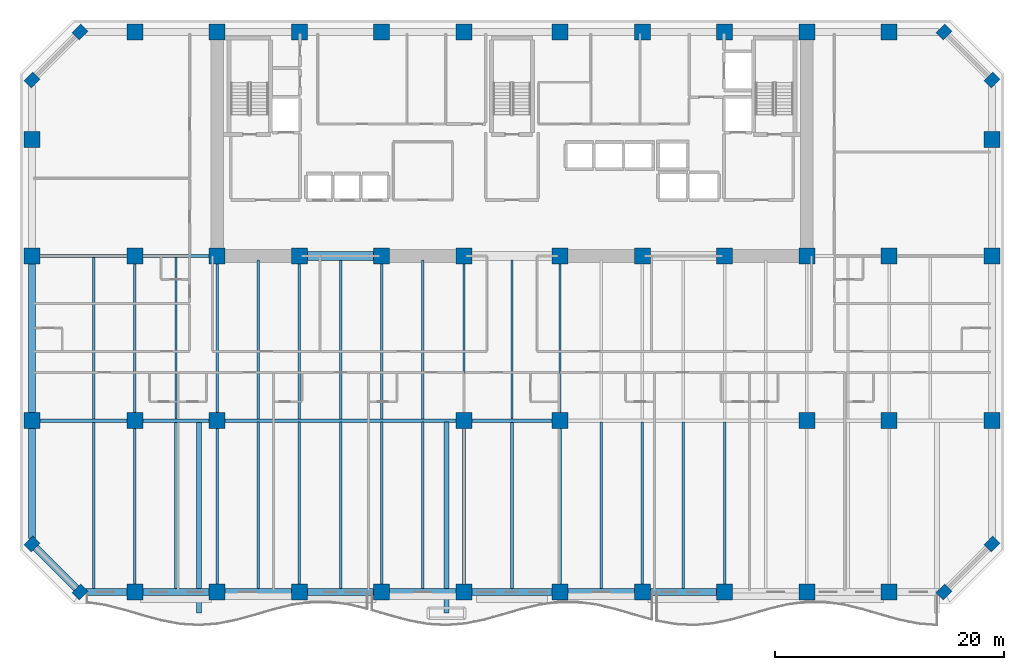
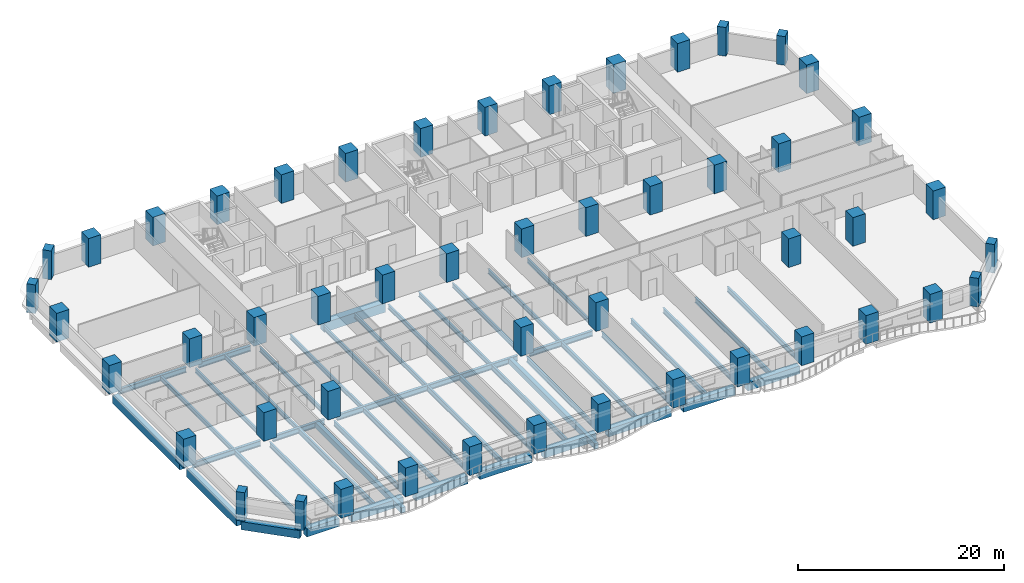
# One storey, part 1 of 14: 50 columns, 48 beams.
"""IFC4 building model written with IfcOpenShell, lengths in metres."""

from ifc_helpers import new_model, si_unit, direction, frame, origin, origin_2d, place, context, subcontext, project, spatial, rectangle, i_section, extrude, material, material_profile, profile_set, type_object, element, save


model = new_model("IFC4")

# Units and contexts
model_context = context("Model", 3, precision=1e-05, world=origin(), true_north=direction((0.0, 1.0)))
body_context = subcontext(model_context, "Body", "Model", "MODEL_VIEW")
ifc_project = project(units=[si_unit("LENGTHUNIT", "METRE"), si_unit("AREAUNIT", "SQUARE_METRE"), si_unit("VOLUMEUNIT", "CUBIC_METRE"), si_unit("PLANEANGLEUNIT", "RADIAN"), si_unit("MASSUNIT", "GRAM", prefix="KILO")], contexts=[model_context])

# Site, building, storey
site_placement = place(None, origin())
site = spatial("IfcSite", under=ifc_project, at=site_placement, CompositionType="ELEMENT")
building_placement = place(site_placement, origin())
building = spatial("IfcBuilding", under=site, at=building_placement, Name="Kaelvorn Grand Hotel", CompositionType="ELEMENT")
storey_placement = place(building_placement, frame((0.0, 0.0, 76.39990234375)))
storey = spatial("IfcBuildingStorey", under=building, at=storey_placement, Name="L17", CompositionType="ELEMENT", Elevation=76.39990234375)

# Columns
ifc_material_1 = material(Name="Concrete C80/95", Category="concrete")
ifc_material_profile_1 = material_profile(ifc_material_1, rectangle(XDim=1.10009765625, YDim=0.89990234375, at=origin_2d()), Name="RC PILASTER 1100x900")
ifc_profile_set_1 = profile_set([ifc_material_profile_1], Name="Concrete C80/95")
column_type_1 = type_object("IfcColumnType", Name="COL-PIL-1100x900-C80", PredefinedType="PILASTER", material=ifc_profile_set_1)
for number, where, z_axis, x_axis, name in (
    (1, (4.199951171875, 0.0, 0.0), (0.0, 0.0, 1.0), (0.707106781187, 0.707106781187, 0.0), "L17 Structural Column CH-01"),
    (2, (79.800048828125, 0.0, 0.0), (0.0, 0.0, 1.0), (0.707106781187, 0.707106781187, 0.0), "L17 Structural Column CH-02"),
    (3, (84.0, 4.199951171875, 0.0), (0.0, 0.0, 1.0), (0.707106781187, 0.707106781187, 0.0), "L17 Structural Column CH-03"),
    (4, (84.0, 44.800048828125, 0.0), (0.0, 0.0, 1.0), (0.707106781187, 0.707106781187, 0.0), "L17 Structural Column CH-04"),
    (5, (79.800048828125, 49.0, 0.0), (0.0, 0.0, 1.0), (0.707106781187, 0.707106781187, 0.0), "L17 Structural Column CH-05"),
    (6, (4.199951171875, 49.0, 0.0), (0.0, 0.0, 1.0), (0.707106781187, 0.707106781187, 0.0), "L17 Structural Column CH-06"),
    (7, (0.0, 44.800048828125, 0.0), (0.0, 0.0, 1.0), (0.707106781187, 0.707106781187, 0.0), "L17 Structural Column CH-07"),
    (8, (0.0, 4.199951171875, 0.0), (0.0, 0.0, 1.0), (0.707106781187, 0.707106781187, 0.0), "L17 Structural Column CH-08"),
):
    element("IfcColumn", number, at=place(storey_placement, frame(where, z_axis=z_axis, x_axis=x_axis)), inside=storey, type_object=column_type_1, Name=name, PredefinedType="PILASTER", context=body_context, shape_type="SweptSolid", body=[
        extrude(rectangle(XDim=1.10009765625, YDim=0.89990234375, at=origin_2d()), origin(), (0.0, 0.0, 1.0), 3.400146484375),
    ])
ifc_material_profile_2 = material_profile(ifc_material_1, rectangle(XDim=1.39990234375, YDim=1.39990234375, at=origin_2d()), Name="RC COL 1400x1400")
ifc_profile_set_2 = profile_set([ifc_material_profile_2], Name="Concrete C80/95")
column_type_2 = type_object("IfcColumnType", Name="COL-RC-1400-C80", PredefinedType="COLUMN", material=ifc_profile_set_2)
for number, where, z_axis, x_axis, name in (
    (9, (9.0, 0.0, 0.0), (0.0, 0.0, 1.0), (1.0, 0.0, 0.0), "L17 Structural Column S-01"),
    (10, (16.199951171875, 0.0, 0.0), (0.0, 0.0, 1.0), (1.0, 0.0, 0.0), "L17 Structural Column S-02"),
    (11, (23.39990234375, 0.0, 0.0), (0.0, 0.0, 1.0), (1.0, 0.0, 0.0), "L17 Structural Column S-03"),
    (12, (30.60009765625, 0.0, 0.0), (0.0, 0.0, 1.0), (1.0, 0.0, 0.0), "L17 Structural Column S-04"),
    (13, (37.800048828125, 0.0, 0.0), (0.0, 0.0, 1.0), (1.0, 0.0, 0.0), "L17 Structural Column S-05"),
    (14, (46.199951171875, 0.0, 0.0), (0.0, 0.0, 1.0), (1.0, 0.0, 0.0), "L17 Structural Column S-06"),
    (15, (53.39990234375, 0.0, 0.0), (0.0, 0.0, 1.0), (1.0, 0.0, 0.0), "L17 Structural Column S-07"),
    (16, (60.60009765625, 0.0, 0.0), (0.0, 0.0, 1.0), (1.0, 0.0, 0.0), "L17 Structural Column S-08"),
    (17, (67.800048828125, 0.0, 0.0), (0.0, 0.0, 1.0), (1.0, 0.0, 0.0), "L17 Structural Column S-09"),
    (18, (75.0, 0.0, 0.0), (0.0, 0.0, 1.0), (1.0, 0.0, 0.0), "L17 Structural Column S-10"),
    (19, (0.0, 15.0, 0.0), (0.0, 0.0, 1.0), (1.0, 0.0, 0.0), "L17 Structural Column W-01"),
    (20, (84.0, 15.0, 0.0), (0.0, 0.0, 1.0), (1.0, 0.0, 0.0), "L17 Structural Column E-01"),
    (21, (0.0, 29.39990234375, 0.0), (0.0, 0.0, 1.0), (1.0, 0.0, 0.0), "L17 Structural Column W-02"),
    (22, (84.0, 29.39990234375, 0.0), (0.0, 0.0, 1.0), (1.0, 0.0, 0.0), "L17 Structural Column E-02"),
    (23, (0.0, 39.60009765625, 0.0), (0.0, 0.0, 1.0), (1.0, 0.0, 0.0), "L17 Structural Column W-03"),
    (24, (84.0, 39.60009765625, 0.0), (0.0, 0.0, 1.0), (1.0, 0.0, 0.0), "L17 Structural Column E-03"),
    (25, (9.0, 15.0, 0.0), (0.0, 0.0, 1.0), (1.0, 0.0, 0.0), "L17 Structural Column M-01"),
    (26, (16.199951171875, 15.0, 0.0), (0.0, 0.0, 1.0), (1.0, 0.0, 0.0), "L17 Structural Column M-02"),
    (27, (37.800048828125, 15.0, 0.0), (0.0, 0.0, 1.0), (1.0, 0.0, 0.0), "L17 Structural Column M-03"),
    (28, (46.199951171875, 15.0, 0.0), (0.0, 0.0, 1.0), (1.0, 0.0, 0.0), "L17 Structural Column M-04"),
    (29, (67.800048828125, 15.0, 0.0), (0.0, 0.0, 1.0), (1.0, 0.0, 0.0), "L17 Structural Column M-05"),
    (30, (75.0, 15.0, 0.0), (0.0, 0.0, 1.0), (1.0, 0.0, 0.0), "L17 Structural Column M-06"),
    (31, (9.0, 29.39990234375, 0.0), (0.0, 0.0, 1.0), (1.0, 0.0, 0.0), "L17 Structural Column CR1-01"),
    (32, (9.0, 49.0, 0.0), (0.0, 0.0, 1.0), (1.0, 0.0, 0.0), "L17 Structural Column CR2-01"),
    (33, (16.199951171875, 29.39990234375, 0.0), (0.0, 0.0, 1.0), (1.0, 0.0, 0.0), "L17 Structural Column CR1-02"),
    (34, (16.199951171875, 49.0, 0.0), (0.0, 0.0, 1.0), (1.0, 0.0, 0.0), "L17 Structural Column CR2-02"),
    (35, (23.39990234375, 29.39990234375, 0.0), (0.0, 0.0, 1.0), (1.0, 0.0, 0.0), "L17 Structural Column CR1-03"),
    (36, (23.39990234375, 49.0, 0.0), (0.0, 0.0, 1.0), (1.0, 0.0, 0.0), "L17 Structural Column CR2-03"),
    (37, (30.60009765625, 29.39990234375, 0.0), (0.0, 0.0, 1.0), (1.0, 0.0, 0.0), "L17 Structural Column CR1-04"),
    (38, (30.60009765625, 49.0, 0.0), (0.0, 0.0, 1.0), (1.0, 0.0, 0.0), "L17 Structural Column CR2-04"),
    (39, (37.800048828125, 29.39990234375, 0.0), (0.0, 0.0, 1.0), (1.0, 0.0, 0.0), "L17 Structural Column CR1-05"),
    (40, (37.800048828125, 49.0, 0.0), (0.0, 0.0, 1.0), (1.0, 0.0, 0.0), "L17 Structural Column CR2-05"),
    (41, (46.199951171875, 29.39990234375, 0.0), (0.0, 0.0, 1.0), (1.0, 0.0, 0.0), "L17 Structural Column CR1-06"),
    (42, (46.199951171875, 49.0, 0.0), (0.0, 0.0, 1.0), (1.0, 0.0, 0.0), "L17 Structural Column CR2-06"),
    (43, (53.39990234375, 29.39990234375, 0.0), (0.0, 0.0, 1.0), (1.0, 0.0, 0.0), "L17 Structural Column CR1-07"),
    (44, (53.39990234375, 49.0, 0.0), (0.0, 0.0, 1.0), (1.0, 0.0, 0.0), "L17 Structural Column CR2-07"),
    (45, (60.60009765625, 29.39990234375, 0.0), (0.0, 0.0, 1.0), (1.0, 0.0, 0.0), "L17 Structural Column CR1-08"),
    (46, (60.60009765625, 49.0, 0.0), (0.0, 0.0, 1.0), (1.0, 0.0, 0.0), "L17 Structural Column CR2-08"),
    (47, (67.800048828125, 29.39990234375, 0.0), (0.0, 0.0, 1.0), (1.0, 0.0, 0.0), "L17 Structural Column CR1-09"),
    (48, (67.800048828125, 49.0, 0.0), (0.0, 0.0, 1.0), (1.0, 0.0, 0.0), "L17 Structural Column CR2-09"),
    (49, (75.0, 29.39990234375, 0.0), (0.0, 0.0, 1.0), (1.0, 0.0, 0.0), "L17 Structural Column CR1-10"),
    (50, (75.0, 49.0, 0.0), (0.0, 0.0, 1.0), (1.0, 0.0, 0.0), "L17 Structural Column CR2-10"),
):
    element("IfcColumn", number, at=place(storey_placement, frame(where, z_axis=z_axis, x_axis=x_axis)), inside=storey, type_object=column_type_2, Name=name, PredefinedType="COLUMN", context=body_context, shape_type="SweptSolid", body=[
        extrude(rectangle(XDim=1.39990234375, YDim=1.39990234375, at=origin_2d()), origin(), (0.0, 0.0, 1.0), 3.400146484375),
    ])

# Beams
ifc_material_2 = material(Name="Steel S355", Category="steel")
ifc_material_profile_3 = material_profile(ifc_material_2, i_section(OverallWidth=0.300048828125, OverallDepth=0.64990234375, WebThickness=0.01611328125, FlangeThickness=0.031005859375, FilletRadius=0.027099609375, at=origin_2d()), Name="HEB 650")
ifc_profile_set_3 = profile_set([ifc_material_profile_3], Name="Steel S355")
beam_type_1 = type_object("IfcBeamType", Name="BM-G-HEB650-S355", PredefinedType="BEAM", material=ifc_profile_set_3)
beam_1_placement = place(storey_placement, frame((0.68505859375, 15.0, -0.56494140625), z_axis=(1.0, 0.0, 0.0), x_axis=(0.0, 1.0, 0.0)))
element("IfcBeam", 51, at=beam_1_placement, inside=storey, type_object=beam_type_1, Name="L17 Primary Spine Steel Girder G-15 01", PredefinedType="BEAM", context=body_context, shape_type="SweptSolid", body=[
    extrude(i_section(OverallWidth=0.300048828125, OverallDepth=0.64990234375, WebThickness=0.01611328125, FlangeThickness=0.031005859375, FilletRadius=0.027099609375, at=origin_2d()), origin(), (0.0, 0.0, 1.0), 7.6298828125),
])
beam_2_placement = place(storey_placement, frame((9.68505859375, 15.0, -0.56494140625), z_axis=(1.0, 0.0, 0.0), x_axis=(0.0, 1.0, 0.0)))
element("IfcBeam", 52, at=beam_2_placement, inside=storey, type_object=beam_type_1, Name="L17 Primary Spine Steel Girder G-15 02", PredefinedType="BEAM", context=body_context, shape_type="SweptSolid", body=[
    extrude(i_section(OverallWidth=0.300048828125, OverallDepth=0.64990234375, WebThickness=0.01611328125, FlangeThickness=0.031005859375, FilletRadius=0.027099609375, at=origin_2d()), origin(), (0.0, 0.0, 1.0), 5.829833984375),
])
beam_3_placement = place(storey_placement, frame((16.885009765625, 15.0, -0.56494140625), z_axis=(1.0, 0.0, 0.0), x_axis=(0.0, 1.0, 0.0)))
element("IfcBeam", 53, at=beam_3_placement, inside=storey, type_object=beam_type_1, Name="L17 Primary Spine Steel Girder G-15 03", PredefinedType="BEAM", context=body_context, shape_type="SweptSolid", body=[
    extrude(i_section(OverallWidth=0.300048828125, OverallDepth=0.64990234375, WebThickness=0.01611328125, FlangeThickness=0.031005859375, FilletRadius=0.027099609375, at=origin_2d()), origin(), (0.0, 0.0, 1.0), 20.22998046875),
])
beam_4_placement = place(storey_placement, frame((38.485107421875, 15.0, -0.56494140625), z_axis=(1.0, 0.0, 0.0), x_axis=(0.0, 1.0, 0.0)))
element("IfcBeam", 54, at=beam_4_placement, inside=storey, type_object=beam_type_1, Name="L17 Primary Spine Steel Girder G-15 04", PredefinedType="BEAM", context=body_context, shape_type="SweptSolid", body=[
    extrude(i_section(OverallWidth=0.300048828125, OverallDepth=0.64990234375, WebThickness=0.01611328125, FlangeThickness=0.031005859375, FilletRadius=0.027099609375, at=origin_2d()), origin(), (0.0, 0.0, 1.0), 7.02978515625),
])
beam_5_placement = place(storey_placement, frame((0.68505859375, 29.39990234375, -0.56494140625), z_axis=(1.0, 0.0, 0.0), x_axis=(0.0, 1.0, 0.0)))
element("IfcBeam", 55, at=beam_5_placement, inside=storey, type_object=beam_type_1, Name="L17 West Core Wing Steel Girder G-29W 01", PredefinedType="BEAM", context=body_context, shape_type="SweptSolid", body=[
    extrude(i_section(OverallWidth=0.300048828125, OverallDepth=0.64990234375, WebThickness=0.01611328125, FlangeThickness=0.031005859375, FilletRadius=0.027099609375, at=origin_2d()), origin(), (0.0, 0.0, 1.0), 7.6298828125),
])
beam_6_placement = place(storey_placement, frame((9.68505859375, 29.39990234375, -0.56494140625), z_axis=(1.0, 0.0, 0.0), x_axis=(0.0, 1.0, 0.0)))
element("IfcBeam", 56, at=beam_6_placement, inside=storey, type_object=beam_type_1, Name="L17 West Core Wing Steel Girder G-29W 02", PredefinedType="BEAM", context=body_context, shape_type="SweptSolid", body=[
    extrude(i_section(OverallWidth=0.300048828125, OverallDepth=0.64990234375, WebThickness=0.01611328125, FlangeThickness=0.031005859375, FilletRadius=0.027099609375, at=origin_2d()), origin(), (0.0, 0.0, 1.0), 5.829833984375),
])
ifc_material_profile_4 = material_profile(ifc_material_2, i_section(OverallWidth=0.209228515625, OverallDepth=0.533203125, WebThickness=0.010009765625, FlangeThickness=0.015625, FilletRadius=0.0126953125, at=origin_2d()), Name="UB 533x210x92")
ifc_profile_set_4 = profile_set([ifc_material_profile_4], Name="Steel S355")
beam_type_2 = type_object("IfcBeamType", Name="BM-J-UB533-S355", PredefinedType="JOIST", material=ifc_profile_set_4)
beam_7_placement = place(storey_placement, frame((5.39990234375, 15.135009765625, -0.50634765625), z_axis=(0.0, 1.0, 0.0), x_axis=(-1.0, 0.0, 0.0)))
element("IfcBeam", 57, at=beam_7_placement, inside=storey, type_object=beam_type_2, Name="L17 Composite Floor Joist JM-02", PredefinedType="JOIST", context=body_context, shape_type="SweptSolid", body=[
    extrude(i_section(OverallWidth=0.209228515625, OverallDepth=0.533203125, WebThickness=0.010009765625, FlangeThickness=0.015625, FilletRadius=0.0126953125, at=origin_2d()), origin(), (0.0, 0.0, 1.0), 14.1298828125),
])
beam_8_placement = place(storey_placement, frame((9.0, 15.68505859375, -0.50634765625), z_axis=(0.0, 1.0, 0.0), x_axis=(-1.0, 0.0, 0.0)))
element("IfcBeam", 58, at=beam_8_placement, inside=storey, type_object=beam_type_2, Name="L17 Composite Floor Joist JM-03", PredefinedType="JOIST", context=body_context, shape_type="SweptSolid", body=[
    extrude(i_section(OverallWidth=0.209228515625, OverallDepth=0.533203125, WebThickness=0.010009765625, FlangeThickness=0.015625, FilletRadius=0.0126953125, at=origin_2d()), origin(), (0.0, 0.0, 1.0), 13.030029296875),
])
beam_9_placement = place(storey_placement, frame((12.60009765625, 15.135009765625, -0.50634765625), z_axis=(0.0, 1.0, 0.0), x_axis=(-1.0, 0.0, 0.0)))
element("IfcBeam", 59, at=beam_9_placement, inside=storey, type_object=beam_type_2, Name="L17 Composite Floor Joist JM-04", PredefinedType="JOIST", context=body_context, shape_type="SweptSolid", body=[
    extrude(i_section(OverallWidth=0.209228515625, OverallDepth=0.533203125, WebThickness=0.010009765625, FlangeThickness=0.015625, FilletRadius=0.0126953125, at=origin_2d()), origin(), (0.0, 0.0, 1.0), 14.1298828125),
])
beam_10_placement = place(storey_placement, frame((16.199951171875, 15.68505859375, -0.50634765625), z_axis=(0.0, 1.0, 0.0), x_axis=(-1.0, 0.0, 0.0)))
element("IfcBeam", 60, at=beam_10_placement, inside=storey, type_object=beam_type_2, Name="L17 Composite Floor Joist JM-05", PredefinedType="JOIST", context=body_context, shape_type="SweptSolid", body=[
    extrude(i_section(OverallWidth=0.209228515625, OverallDepth=0.533203125, WebThickness=0.010009765625, FlangeThickness=0.015625, FilletRadius=0.0126953125, at=origin_2d()), origin(), (0.0, 0.0, 1.0), 13.030029296875),
])
beam_11_placement = place(storey_placement, frame((19.800048828125, 15.135009765625, -0.50634765625), z_axis=(0.0, 1.0, 0.0), x_axis=(-1.0, 0.0, 0.0)))
element("IfcBeam", 61, at=beam_11_placement, inside=storey, type_object=beam_type_2, Name="L17 Composite Floor Joist JM-06", PredefinedType="JOIST", context=body_context, shape_type="SweptSolid", body=[
    extrude(i_section(OverallWidth=0.209228515625, OverallDepth=0.533203125, WebThickness=0.010009765625, FlangeThickness=0.015625, FilletRadius=0.0126953125, at=origin_2d()), origin(), (0.0, 0.0, 1.0), 13.925048828125),
])
beam_12_placement = place(storey_placement, frame((23.39990234375, 15.135009765625, -0.50634765625), z_axis=(0.0, 1.0, 0.0), x_axis=(-1.0, 0.0, 0.0)))
element("IfcBeam", 62, at=beam_12_placement, inside=storey, type_object=beam_type_2, Name="L17 Composite Floor Joist JM-07", PredefinedType="JOIST", context=body_context, shape_type="SweptSolid", body=[
    extrude(i_section(OverallWidth=0.209228515625, OverallDepth=0.533203125, WebThickness=0.010009765625, FlangeThickness=0.015625, FilletRadius=0.0126953125, at=origin_2d()), origin(), (0.0, 0.0, 1.0), 13.580078125),
])
beam_13_placement = place(storey_placement, frame((27.0, 15.135009765625, -0.50634765625), z_axis=(0.0, 1.0, 0.0), x_axis=(-1.0, 0.0, 0.0)))
element("IfcBeam", 63, at=beam_13_placement, inside=storey, type_object=beam_type_2, Name="L17 Composite Floor Joist JM-08", PredefinedType="JOIST", context=body_context, shape_type="SweptSolid", body=[
    extrude(i_section(OverallWidth=0.209228515625, OverallDepth=0.533203125, WebThickness=0.010009765625, FlangeThickness=0.015625, FilletRadius=0.0126953125, at=origin_2d()), origin(), (0.0, 0.0, 1.0), 13.925048828125),
])
beam_14_placement = place(storey_placement, frame((30.60009765625, 15.135009765625, -0.50634765625), z_axis=(0.0, 1.0, 0.0), x_axis=(-1.0, 0.0, 0.0)))
element("IfcBeam", 64, at=beam_14_placement, inside=storey, type_object=beam_type_2, Name="L17 Composite Floor Joist JM-09", PredefinedType="JOIST", context=body_context, shape_type="SweptSolid", body=[
    extrude(i_section(OverallWidth=0.209228515625, OverallDepth=0.533203125, WebThickness=0.010009765625, FlangeThickness=0.015625, FilletRadius=0.0126953125, at=origin_2d()), origin(), (0.0, 0.0, 1.0), 13.580078125),
])
beam_15_placement = place(storey_placement, frame((34.199951171875, 15.135009765625, -0.50634765625), z_axis=(0.0, 1.0, 0.0), x_axis=(-1.0, 0.0, 0.0)))
element("IfcBeam", 65, at=beam_15_placement, inside=storey, type_object=beam_type_2, Name="L17 Composite Floor Joist JM-10", PredefinedType="JOIST", context=body_context, shape_type="SweptSolid", body=[
    extrude(i_section(OverallWidth=0.209228515625, OverallDepth=0.533203125, WebThickness=0.010009765625, FlangeThickness=0.015625, FilletRadius=0.0126953125, at=origin_2d()), origin(), (0.0, 0.0, 1.0), 13.925048828125),
])
beam_16_placement = place(storey_placement, frame((37.800048828125, 15.68505859375, -0.50634765625), z_axis=(0.0, 1.0, 0.0), x_axis=(-1.0, 0.0, 0.0)))
element("IfcBeam", 66, at=beam_16_placement, inside=storey, type_object=beam_type_2, Name="L17 Composite Floor Joist JM-11", PredefinedType="JOIST", context=body_context, shape_type="SweptSolid", body=[
    extrude(i_section(OverallWidth=0.209228515625, OverallDepth=0.533203125, WebThickness=0.010009765625, FlangeThickness=0.015625, FilletRadius=0.0126953125, at=origin_2d()), origin(), (0.0, 0.0, 1.0), 13.030029296875),
])
beam_17_placement = place(storey_placement, frame((42.0, 15.135009765625, -0.50634765625), z_axis=(0.0, 1.0, 0.0), x_axis=(-1.0, 0.0, 0.0)))
element("IfcBeam", 67, at=beam_17_placement, inside=storey, type_object=beam_type_2, Name="L17 Composite Floor Joist JM-12", PredefinedType="JOIST", context=body_context, shape_type="SweptSolid", body=[
    extrude(i_section(OverallWidth=0.209228515625, OverallDepth=0.533203125, WebThickness=0.010009765625, FlangeThickness=0.015625, FilletRadius=0.0126953125, at=origin_2d()), origin(), (0.0, 0.0, 1.0), 13.925048828125),
])
beam_18_placement = place(storey_placement, frame((46.199951171875, 15.68505859375, -0.50634765625), z_axis=(0.0, 1.0, 0.0), x_axis=(-1.0, 0.0, 0.0)))
element("IfcBeam", 68, at=beam_18_placement, inside=storey, type_object=beam_type_2, Name="L17 Composite Floor Joist JM-13", PredefinedType="JOIST", context=body_context, shape_type="SweptSolid", body=[
    extrude(i_section(OverallWidth=0.209228515625, OverallDepth=0.533203125, WebThickness=0.010009765625, FlangeThickness=0.015625, FilletRadius=0.0126953125, at=origin_2d()), origin(), (0.0, 0.0, 1.0), 13.030029296875),
])
ifc_material_profile_5 = material_profile(ifc_material_2, i_section(OverallWidth=0.22900390625, OverallDepth=0.6123046875, WebThickness=0.011962890625, FlangeThickness=0.01953125, FilletRadius=0.0126953125, at=origin_2d()), Name="UB 610x229x125")
ifc_profile_set_5 = profile_set([ifc_material_profile_5], Name="Steel S355")
beam_type_3 = type_object("IfcBeamType", Name="BM-J-UB610-S355", PredefinedType="JOIST", material=ifc_profile_set_5)
beam_19_placement = place(storey_placement, frame((5.39990234375, 0.31005859375, -0.5458984375), z_axis=(0.0, 1.0, 0.0), x_axis=(-1.0, 0.0, 0.0)))
element("IfcBeam", 69, at=beam_19_placement, inside=storey, type_object=beam_type_3, Name="L17 Composite Floor Joist JS-02", PredefinedType="JOIST", context=body_context, shape_type="SweptSolid", body=[
    extrude(i_section(OverallWidth=0.22900390625, OverallDepth=0.6123046875, WebThickness=0.011962890625, FlangeThickness=0.01953125, FilletRadius=0.0126953125, at=origin_2d()), origin(), (0.0, 0.0, 1.0), 14.554931640625),
])
beam_20_placement = place(storey_placement, frame((9.0, 0.68505859375, -0.5458984375), z_axis=(0.0, 1.0, 0.0), x_axis=(-1.0, 0.0, 0.0)))
element("IfcBeam", 70, at=beam_20_placement, inside=storey, type_object=beam_type_3, Name="L17 Composite Floor Joist JS-03", PredefinedType="JOIST", context=body_context, shape_type="SweptSolid", body=[
    extrude(i_section(OverallWidth=0.22900390625, OverallDepth=0.6123046875, WebThickness=0.011962890625, FlangeThickness=0.01953125, FilletRadius=0.0126953125, at=origin_2d()), origin(), (0.0, 0.0, 1.0), 13.6298828125),
])
beam_21_placement = place(storey_placement, frame((12.60009765625, 0.31005859375, -0.5458984375), z_axis=(0.0, 1.0, 0.0), x_axis=(-1.0, 0.0, 0.0)))
element("IfcBeam", 71, at=beam_21_placement, inside=storey, type_object=beam_type_3, Name="L17 Composite Floor Joist JS-04", PredefinedType="JOIST", context=body_context, shape_type="SweptSolid", body=[
    extrude(i_section(OverallWidth=0.22900390625, OverallDepth=0.6123046875, WebThickness=0.011962890625, FlangeThickness=0.01953125, FilletRadius=0.0126953125, at=origin_2d()), origin(), (0.0, 0.0, 1.0), 14.554931640625),
])
beam_22_placement = place(storey_placement, frame((16.199951171875, 0.68505859375, -0.5458984375), z_axis=(0.0, 1.0, 0.0), x_axis=(-1.0, 0.0, 0.0)))
element("IfcBeam", 72, at=beam_22_placement, inside=storey, type_object=beam_type_3, Name="L17 Composite Floor Joist JS-05", PredefinedType="JOIST", context=body_context, shape_type="SweptSolid", body=[
    extrude(i_section(OverallWidth=0.22900390625, OverallDepth=0.6123046875, WebThickness=0.011962890625, FlangeThickness=0.01953125, FilletRadius=0.0126953125, at=origin_2d()), origin(), (0.0, 0.0, 1.0), 13.6298828125),
])
beam_23_placement = place(storey_placement, frame((19.800048828125, 0.31005859375, -0.5458984375), z_axis=(0.0, 1.0, 0.0), x_axis=(-1.0, 0.0, 0.0)))
element("IfcBeam", 73, at=beam_23_placement, inside=storey, type_object=beam_type_3, Name="L17 Composite Floor Joist JS-06", PredefinedType="JOIST", context=body_context, shape_type="SweptSolid", body=[
    extrude(i_section(OverallWidth=0.22900390625, OverallDepth=0.6123046875, WebThickness=0.011962890625, FlangeThickness=0.01953125, FilletRadius=0.0126953125, at=origin_2d()), origin(), (0.0, 0.0, 1.0), 14.554931640625),
])
beam_24_placement = place(storey_placement, frame((23.39990234375, 0.68505859375, -0.5458984375), z_axis=(0.0, 1.0, 0.0), x_axis=(-1.0, 0.0, 0.0)))
element("IfcBeam", 74, at=beam_24_placement, inside=storey, type_object=beam_type_3, Name="L17 Composite Floor Joist JS-07", PredefinedType="JOIST", context=body_context, shape_type="SweptSolid", body=[
    extrude(i_section(OverallWidth=0.22900390625, OverallDepth=0.6123046875, WebThickness=0.011962890625, FlangeThickness=0.01953125, FilletRadius=0.0126953125, at=origin_2d()), origin(), (0.0, 0.0, 1.0), 14.179931640625),
])
beam_25_placement = place(storey_placement, frame((27.0, 0.31005859375, -0.5458984375), z_axis=(0.0, 1.0, 0.0), x_axis=(-1.0, 0.0, 0.0)))
element("IfcBeam", 75, at=beam_25_placement, inside=storey, type_object=beam_type_3, Name="L17 Composite Floor Joist JS-08", PredefinedType="JOIST", context=body_context, shape_type="SweptSolid", body=[
    extrude(i_section(OverallWidth=0.22900390625, OverallDepth=0.6123046875, WebThickness=0.011962890625, FlangeThickness=0.01953125, FilletRadius=0.0126953125, at=origin_2d()), origin(), (0.0, 0.0, 1.0), 14.554931640625),
])
beam_26_placement = place(storey_placement, frame((30.60009765625, 0.68505859375, -0.5458984375), z_axis=(0.0, 1.0, 0.0), x_axis=(-1.0, 0.0, 0.0)))
element("IfcBeam", 76, at=beam_26_placement, inside=storey, type_object=beam_type_3, Name="L17 Composite Floor Joist JS-09", PredefinedType="JOIST", context=body_context, shape_type="SweptSolid", body=[
    extrude(i_section(OverallWidth=0.22900390625, OverallDepth=0.6123046875, WebThickness=0.011962890625, FlangeThickness=0.01953125, FilletRadius=0.0126953125, at=origin_2d()), origin(), (0.0, 0.0, 1.0), 14.179931640625),
])
beam_27_placement = place(storey_placement, frame((34.199951171875, 0.31005859375, -0.5458984375), z_axis=(0.0, 1.0, 0.0), x_axis=(-1.0, 0.0, 0.0)))
element("IfcBeam", 77, at=beam_27_placement, inside=storey, type_object=beam_type_3, Name="L17 Composite Floor Joist JS-10", PredefinedType="JOIST", context=body_context, shape_type="SweptSolid", body=[
    extrude(i_section(OverallWidth=0.22900390625, OverallDepth=0.6123046875, WebThickness=0.011962890625, FlangeThickness=0.01953125, FilletRadius=0.0126953125, at=origin_2d()), origin(), (0.0, 0.0, 1.0), 14.554931640625),
])
beam_28_placement = place(storey_placement, frame((37.800048828125, 0.68505859375, -0.5458984375), z_axis=(0.0, 1.0, 0.0), x_axis=(-1.0, 0.0, 0.0)))
element("IfcBeam", 78, at=beam_28_placement, inside=storey, type_object=beam_type_3, Name="L17 Composite Floor Joist JS-11", PredefinedType="JOIST", context=body_context, shape_type="SweptSolid", body=[
    extrude(i_section(OverallWidth=0.22900390625, OverallDepth=0.6123046875, WebThickness=0.011962890625, FlangeThickness=0.01953125, FilletRadius=0.0126953125, at=origin_2d()), origin(), (0.0, 0.0, 1.0), 13.6298828125),
])
beam_29_placement = place(storey_placement, frame((42.0, 0.31005859375, -0.5458984375), z_axis=(0.0, 1.0, 0.0), x_axis=(-1.0, 0.0, 0.0)))
element("IfcBeam", 79, at=beam_29_placement, inside=storey, type_object=beam_type_3, Name="L17 Composite Floor Joist JS-12", PredefinedType="JOIST", context=body_context, shape_type="SweptSolid", body=[
    extrude(i_section(OverallWidth=0.22900390625, OverallDepth=0.6123046875, WebThickness=0.011962890625, FlangeThickness=0.01953125, FilletRadius=0.0126953125, at=origin_2d()), origin(), (0.0, 0.0, 1.0), 14.554931640625),
])
beam_30_placement = place(storey_placement, frame((46.199951171875, 0.68505859375, -0.5458984375), z_axis=(0.0, 1.0, 0.0), x_axis=(-1.0, 0.0, 0.0)))
element("IfcBeam", 80, at=beam_30_placement, inside=storey, type_object=beam_type_3, Name="L17 Composite Floor Joist JS-13", PredefinedType="JOIST", context=body_context, shape_type="SweptSolid", body=[
    extrude(i_section(OverallWidth=0.22900390625, OverallDepth=0.6123046875, WebThickness=0.011962890625, FlangeThickness=0.01953125, FilletRadius=0.0126953125, at=origin_2d()), origin(), (0.0, 0.0, 1.0), 13.6298828125),
])
beam_31_placement = place(storey_placement, frame((49.800048828125, 0.31005859375, -0.5458984375), z_axis=(0.0, 1.0, 0.0), x_axis=(-1.0, 0.0, 0.0)))
element("IfcBeam", 81, at=beam_31_placement, inside=storey, type_object=beam_type_3, Name="L17 Composite Floor Joist JS-14", PredefinedType="JOIST", context=body_context, shape_type="SweptSolid", body=[
    extrude(i_section(OverallWidth=0.22900390625, OverallDepth=0.6123046875, WebThickness=0.011962890625, FlangeThickness=0.01953125, FilletRadius=0.0126953125, at=origin_2d()), origin(), (0.0, 0.0, 1.0), 14.554931640625),
])
beam_32_placement = place(storey_placement, frame((53.39990234375, 0.68505859375, -0.5458984375), z_axis=(0.0, 1.0, 0.0), x_axis=(-1.0, 0.0, 0.0)))
element("IfcBeam", 82, at=beam_32_placement, inside=storey, type_object=beam_type_3, Name="L17 Composite Floor Joist JS-15", PredefinedType="JOIST", context=body_context, shape_type="SweptSolid", body=[
    extrude(i_section(OverallWidth=0.22900390625, OverallDepth=0.6123046875, WebThickness=0.011962890625, FlangeThickness=0.01953125, FilletRadius=0.0126953125, at=origin_2d()), origin(), (0.0, 0.0, 1.0), 14.179931640625),
])
beam_33_placement = place(storey_placement, frame((57.0, 0.31005859375, -0.5458984375), z_axis=(0.0, 1.0, 0.0), x_axis=(-1.0, 0.0, 0.0)))
element("IfcBeam", 83, at=beam_33_placement, inside=storey, type_object=beam_type_3, Name="L17 Composite Floor Joist JS-16", PredefinedType="JOIST", context=body_context, shape_type="SweptSolid", body=[
    extrude(i_section(OverallWidth=0.22900390625, OverallDepth=0.6123046875, WebThickness=0.011962890625, FlangeThickness=0.01953125, FilletRadius=0.0126953125, at=origin_2d()), origin(), (0.0, 0.0, 1.0), 14.554931640625),
])
beam_34_placement = place(storey_placement, frame((60.60009765625, 0.68505859375, -0.5458984375), z_axis=(0.0, 1.0, 0.0), x_axis=(-1.0, 0.0, 0.0)))
element("IfcBeam", 84, at=beam_34_placement, inside=storey, type_object=beam_type_3, Name="L17 Composite Floor Joist JS-17", PredefinedType="JOIST", context=body_context, shape_type="SweptSolid", body=[
    extrude(i_section(OverallWidth=0.22900390625, OverallDepth=0.6123046875, WebThickness=0.011962890625, FlangeThickness=0.01953125, FilletRadius=0.0126953125, at=origin_2d()), origin(), (0.0, 0.0, 1.0), 14.179931640625),
])
ifc_material_3 = material(Name="Concrete C60/75", Category="concrete")
ifc_material_profile_6 = material_profile(ifc_material_3, rectangle(XDim=0.800048828125, YDim=1.10009765625, at=origin_2d()), Name="RC LINTEL 800x1100")
ifc_profile_set_6 = profile_set([ifc_material_profile_6], Name="Concrete C60/75")
beam_type_4 = type_object("IfcBeamType", Name="BM-LIN-800x1100-C60", PredefinedType="LINTEL", material=ifc_profile_set_6)
beam_35_placement = place(storey_placement, frame((23.580078125, 29.39990234375, -0.789794921875), z_axis=(1.0, 0.0, 0.0), x_axis=(0.0, 1.0, 0.0)))
element("IfcBeam", 85, at=beam_35_placement, inside=storey, type_object=beam_type_4, Name="L17 Rear-Core Coupling Lintel Beam CB1-01", PredefinedType="LINTEL", context=body_context, shape_type="SweptSolid", body=[
    extrude(rectangle(XDim=0.800048828125, YDim=1.10009765625, at=origin_2d()), origin(), (0.0, 0.0, 1.0), 6.83984375),
])
ifc_material_4 = material(Name="Concrete C40/50", Category="concrete")
ifc_material_profile_7 = material_profile(ifc_material_4, rectangle(XDim=0.449951171875, YDim=0.64990234375, at=origin_2d()), Name="RC RIB 450x650")
ifc_profile_set_7 = profile_set([ifc_material_profile_7], Name="Concrete C40/50")
beam_type_5 = type_object("IfcBeamType", Name="BM-RIB-450x650-C40", PredefinedType="SPANDREL", material=ifc_profile_set_7)
for number, where, z_axis, x_axis, name in (
    (86, (14.61328125, -1.85009765625, -0.544921875), (0.0, 1.0, 0.0), (-1.0, 0.0, 0.0), "L17 Cantilevered Balcony Back-Span Rib RB1-1"),
    (87, (36.275634765625, -1.85009765625, -0.544921875), (0.0, 1.0, 0.0), (-1.0, 0.0, 0.0), "L17 Cantilevered Balcony Back-Span Rib RB1-2"),
):
    element("IfcBeam", number, at=place(storey_placement, frame(where, z_axis=z_axis, x_axis=x_axis)), inside=storey, type_object=beam_type_5, Name=name, PredefinedType="SPANDREL", context=body_context, shape_type="SweptSolid", body=[
        extrude(rectangle(XDim=0.449951171875, YDim=0.64990234375, at=origin_2d()), origin(), (0.0, 0.0, 1.0), 16.715087890625),
    ])
ifc_material_profile_8 = material_profile(ifc_material_3, rectangle(XDim=0.64990234375, YDim=0.949951171875, at=origin_2d()), Name="RC SPANDREL 650x950")
ifc_profile_set_8 = profile_set([ifc_material_profile_8], Name="Concrete C60/75")
beam_type_6 = type_object("IfcBeamType", Name="BM-SP-650x950-C60", PredefinedType="SPANDREL", material=ifc_profile_set_8)
beam_36_placement = place(storey_placement, frame((4.68505859375, 0.0, -0.71484375), z_axis=(1.0, 0.0, 0.0), x_axis=(0.0, 1.0, 0.0)))
element("IfcBeam", 88, at=beam_36_placement, inside=storey, type_object=beam_type_6, Name="L17 South Perimeter Spandrel 01", PredefinedType="SPANDREL", context=body_context, shape_type="SweptSolid", body=[
    extrude(rectangle(XDim=0.64990234375, YDim=0.949951171875, at=origin_2d()), origin(), (0.0, 0.0, 1.0), 3.6298828125),
])
beam_37_placement = place(storey_placement, frame((9.68505859375, 0.0, -0.71484375), z_axis=(1.0, 0.0, 0.0), x_axis=(0.0, 1.0, 0.0)))
element("IfcBeam", 89, at=beam_37_placement, inside=storey, type_object=beam_type_6, Name="L17 South Perimeter Spandrel 02", PredefinedType="SPANDREL", context=body_context, shape_type="SweptSolid", body=[
    extrude(rectangle(XDim=0.64990234375, YDim=0.949951171875, at=origin_2d()), origin(), (0.0, 0.0, 1.0), 5.829833984375),
])
for number, where, z_axis, x_axis, name in (
    (90, (16.885009765625, 0.0, -0.71484375), (1.0, 0.0, 0.0), (0.0, 1.0, 0.0), "L17 South Perimeter Spandrel 03"),
    (91, (24.0849609375, 0.0, -0.71484375), (1.0, 0.0, 0.0), (0.0, 1.0, 0.0), "L17 South Perimeter Spandrel 04"),
    (92, (31.284912109375, 0.0, -0.71484375), (1.0, 0.0, 0.0), (0.0, 1.0, 0.0), "L17 South Perimeter Spandrel 05"),
):
    element("IfcBeam", number, at=place(storey_placement, frame(where, z_axis=z_axis, x_axis=x_axis)), inside=storey, type_object=beam_type_6, Name=name, PredefinedType="SPANDREL", context=body_context, shape_type="SweptSolid", body=[
        extrude(rectangle(XDim=0.64990234375, YDim=0.949951171875, at=origin_2d()), origin(), (0.0, 0.0, 1.0), 5.830078125),
    ])
beam_38_placement = place(storey_placement, frame((38.485107421875, 0.0, -0.71484375), z_axis=(1.0, 0.0, 0.0), x_axis=(0.0, 1.0, 0.0)))
element("IfcBeam", 93, at=beam_38_placement, inside=storey, type_object=beam_type_6, Name="L17 South Perimeter Spandrel 06", PredefinedType="SPANDREL", context=body_context, shape_type="SweptSolid", body=[
    extrude(rectangle(XDim=0.64990234375, YDim=0.949951171875, at=origin_2d()), origin(), (0.0, 0.0, 1.0), 7.02978515625),
])
for number, where, z_axis, x_axis, name in (
    (94, (46.885009765625, 0.0, -0.71484375), (1.0, 0.0, 0.0), (0.0, 1.0, 0.0), "L17 South Perimeter Spandrel 07"),
    (95, (54.0849609375, 0.0, -0.71484375), (1.0, 0.0, 0.0), (0.0, 1.0, 0.0), "L17 South Perimeter Spandrel 08"),
):
    element("IfcBeam", number, at=place(storey_placement, frame(where, z_axis=z_axis, x_axis=x_axis)), inside=storey, type_object=beam_type_6, Name=name, PredefinedType="SPANDREL", context=body_context, shape_type="SweptSolid", body=[
        extrude(rectangle(XDim=0.64990234375, YDim=0.949951171875, at=origin_2d()), origin(), (0.0, 0.0, 1.0), 5.830078125),
    ])
beam_39_placement = place(storey_placement, frame((0.0, 4.68505859375, -0.71484375), z_axis=(0.0, 1.0, 0.0), x_axis=(-1.0, 0.0, 0.0)))
element("IfcBeam", 96, at=beam_39_placement, inside=storey, type_object=beam_type_6, Name="L17 West Perimeter Spandrel 01", PredefinedType="SPANDREL", context=body_context, shape_type="SweptSolid", body=[
    extrude(rectangle(XDim=0.64990234375, YDim=0.949951171875, at=origin_2d()), origin(), (0.0, 0.0, 1.0), 9.6298828125),
])
beam_40_placement = place(storey_placement, frame((0.0, 15.68505859375, -0.71484375), z_axis=(0.0, 1.0, 0.0), x_axis=(-1.0, 0.0, 0.0)))
element("IfcBeam", 97, at=beam_40_placement, inside=storey, type_object=beam_type_6, Name="L17 West Perimeter Spandrel 02", PredefinedType="SPANDREL", context=body_context, shape_type="SweptSolid", body=[
    extrude(rectangle(XDim=0.64990234375, YDim=0.949951171875, at=origin_2d()), origin(), (0.0, 0.0, 1.0), 13.030029296875),
])
beam_41_placement = place(storey_placement, frame((0.0, 4.199951171875, -0.71484375), z_axis=(0.707106781187, -0.707106781187, 0.0), x_axis=(0.707106781187, 0.707106781187, 0.0)))
element("IfcBeam", 98, at=beam_41_placement, inside=storey, type_object=beam_type_6, Name="L17 Chamfer Spandrel Beam 4", PredefinedType="SPANDREL", context=body_context, shape_type="SweptSolid", body=[
    extrude(rectangle(XDim=0.64990234375, YDim=0.949951171875, at=origin_2d()), origin(), (0.0, 0.0, 1.0), 5.939697265625),
])

save(model, "model.ifc")
